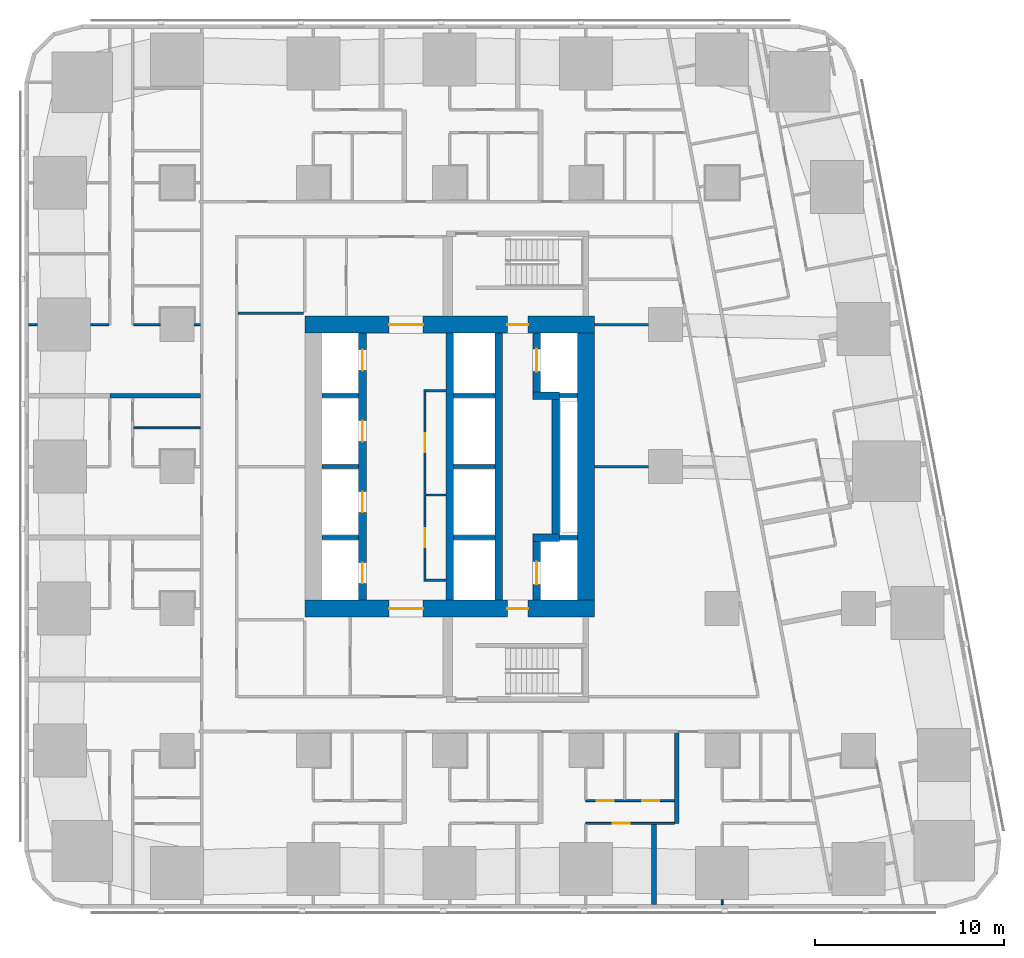
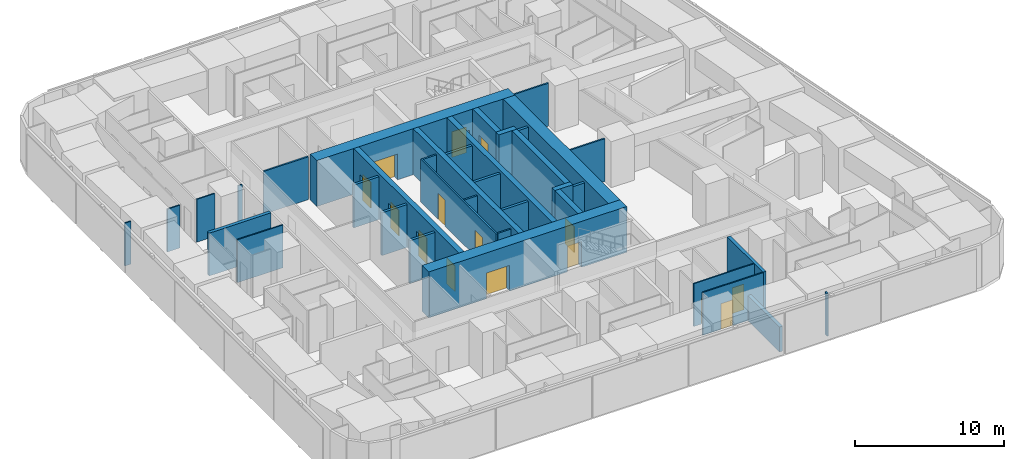
# One storey, part 5 of 15: 37 walls, 15 doors, 15 openings.
"""IFC4 building model written with IfcOpenShell, lengths in metres."""

from ifc_helpers import new_model, si_unit, direction, frame, frame_2d, origin, place, context, subcontext, project, spatial, rectangle, extrude, material, layer, layer_set, type_object, element, fill, save


model = new_model("IFC4")

# Units and contexts
model_context = context("Model", 3, precision=1e-05, world=origin(), true_north=direction((0.0, 1.0)))
body_context = subcontext(model_context, "Body", "Model", "MODEL_VIEW")
ifc_project = project(units=[si_unit("LENGTHUNIT", "METRE"), si_unit("AREAUNIT", "SQUARE_METRE"), si_unit("VOLUMEUNIT", "CUBIC_METRE"), si_unit("PLANEANGLEUNIT", "RADIAN"), si_unit("MASSUNIT", "GRAM", prefix="KILO")], contexts=[model_context])

# Site, building, storey
site_placement = place(None, origin())
site = spatial("IfcSite", under=ifc_project, at=site_placement, CompositionType="ELEMENT")
building_placement = place(site_placement, origin())
building = spatial("IfcBuilding", under=site, at=building_placement, Name="Sheger Commons Tower", CompositionType="ELEMENT")
storey_placement = place(building_placement, frame((0.0, 0.0, 65.0)))
storey = spatial("IfcBuildingStorey", under=building, at=storey_placement, Name="L16", CompositionType="ELEMENT", Elevation=65.0)

# Wall, openings, doors
ifc_material_1 = material(Name="Concrete C50/60", Category="concrete")
ifc_layer_1 = layer(ifc_material_1, 0.39990234375)
ifc_layer_set_1 = layer_set([ifc_layer_1], Name="CORE INNER WALL 400")
wall_type_1 = type_object("IfcWallType", Name="CORE INNER WALL 400", PredefinedType="SHEAR", material=ifc_layer_set_1)
wall_1_placement = place(storey_placement, frame((17.0, 15.449951171875, 0.0), z_axis=(0.0, 0.0, 1.0), x_axis=(0.0, 1.0, 0.0)))
wall_1 = element("IfcWall", 1, at=wall_1_placement, inside=storey, type_object=wall_type_1, Name="Core inner wall A L16", PredefinedType="SHEAR", context=body_context, shape_type="SweptSolid", body=[
    extrude(rectangle(XDim=14.10009765625, YDim=0.39990234375, at=frame_2d((7.050048828125, 0.0))), origin(), (0.0, 0.0, 1.0), 3.75),
])
opening_1_placement = place(wall_1_placement, frame((0.875, 0.0, 0.0)))
opening_1 = element("IfcOpeningElement", 2, at=opening_1_placement, cuts=wall_1, Name="Opening LD", PredefinedType="OPENING", context=body_context, shape_type="SweptSolid", body=[
    extrude(rectangle(XDim=1.10009765625, YDim=2.10009765625, at=frame_2d((0.550048828125, 1.050048828125))), frame((0.0, 0.2099609375, 0.0), z_axis=(0.0, -1.0, 0.0), x_axis=(1.0, 0.0, 0.0)), (0.0, 0.0, 1.0), 0.419921875),
])
opening_2_placement = place(wall_1_placement, frame((4.625, 0.0, 0.0)))
opening_2 = element("IfcOpeningElement", 3, at=opening_2_placement, cuts=wall_1, Name="Opening LD", PredefinedType="OPENING", context=body_context, shape_type="SweptSolid", body=[
    extrude(rectangle(XDim=1.10009765625, YDim=2.10009765625, at=frame_2d((0.550048828125, 1.050048828125))), frame((0.0, 0.2099609375, 0.0), z_axis=(0.0, -1.0, 0.0), x_axis=(1.0, 0.0, 0.0)), (0.0, 0.0, 1.0), 0.419921875),
])
opening_3_placement = place(wall_1_placement, frame((8.375, 0.0, 0.0)))
opening_3 = element("IfcOpeningElement", 4, at=opening_3_placement, cuts=wall_1, Name="Opening LD", PredefinedType="OPENING", context=body_context, shape_type="SweptSolid", body=[
    extrude(rectangle(XDim=1.10009765625, YDim=2.10009765625, at=frame_2d((0.550048828125, 1.050048828125))), frame((0.0, 0.2099609375, 0.0), z_axis=(0.0, -1.0, 0.0), x_axis=(1.0, 0.0, 0.0)), (0.0, 0.0, 1.0), 0.419921875),
])
opening_4_placement = place(wall_1_placement, frame((12.125, 0.0, 0.0)))
opening_4 = element("IfcOpeningElement", 5, at=opening_4_placement, cuts=wall_1, Name="Opening LD", PredefinedType="OPENING", context=body_context, shape_type="SweptSolid", body=[
    extrude(rectangle(XDim=1.10009765625, YDim=2.10009765625, at=frame_2d((0.550048828125, 1.050048828125))), frame((0.0, 0.2099609375, 0.0), z_axis=(0.0, -1.0, 0.0), x_axis=(1.0, 0.0, 0.0)), (0.0, 0.0, 1.0), 0.419921875),
])
ifc_material_2 = material(Name="Steel door set, fire rated", Category="steel")
door_type_1 = type_object("IfcDoorType", Name="LIFT LANDING DOOR 1100x2100", OperationType="DOUBLE_DOOR_SLIDING", PredefinedType="DOOR", material=ifc_material_2)
door_1_placement = place(opening_1_placement, origin())
door_1 = element("IfcDoor", 6, at=door_1_placement, inside=storey, type_object=door_type_1, Name="Lift LA1 landing door", OperationType="DOUBLE_DOOR_SLIDING", OverallHeight=2.10009765625, OverallWidth=1.10009765625, PredefinedType="DOOR", context=body_context, shape_type="SweptSolid", body=[
    extrude(rectangle(XDim=1.10009765625, YDim=2.10009765625, at=frame_2d((0.550048828125, 1.050048828125))), frame((0.0, 0.02490234375, 0.0), z_axis=(0.0, -1.0, 0.0), x_axis=(1.0, 0.0, 0.0)), (0.0, 0.0, 1.0), 0.050048828125),
])
fill(opening_1, door_1)
door_2_placement = place(opening_2_placement, origin())
door_2 = element("IfcDoor", 7, at=door_2_placement, inside=storey, type_object=door_type_1, Name="Lift LA2 landing door", OperationType="DOUBLE_DOOR_SLIDING", OverallHeight=2.10009765625, OverallWidth=1.10009765625, PredefinedType="DOOR", context=body_context, shape_type="SweptSolid", body=[
    extrude(rectangle(XDim=1.10009765625, YDim=2.10009765625, at=frame_2d((0.550048828125, 1.050048828125))), frame((0.0, 0.02490234375, 0.0), z_axis=(0.0, -1.0, 0.0), x_axis=(1.0, 0.0, 0.0)), (0.0, 0.0, 1.0), 0.050048828125),
])
fill(opening_2, door_2)
door_3_placement = place(opening_3_placement, origin())
door_3 = element("IfcDoor", 8, at=door_3_placement, inside=storey, type_object=door_type_1, Name="Lift LA3 landing door", OperationType="DOUBLE_DOOR_SLIDING", OverallHeight=2.10009765625, OverallWidth=1.10009765625, PredefinedType="DOOR", context=body_context, shape_type="SweptSolid", body=[
    extrude(rectangle(XDim=1.10009765625, YDim=2.10009765625, at=frame_2d((0.550048828125, 1.050048828125))), frame((0.0, 0.02490234375, 0.0), z_axis=(0.0, -1.0, 0.0), x_axis=(1.0, 0.0, 0.0)), (0.0, 0.0, 1.0), 0.050048828125),
])
fill(opening_3, door_3)
door_4_placement = place(opening_4_placement, origin())
door_4 = element("IfcDoor", 9, at=door_4_placement, inside=storey, type_object=door_type_1, Name="Lift LA4 landing door", OperationType="DOUBLE_DOOR_SLIDING", OverallHeight=2.10009765625, OverallWidth=1.10009765625, PredefinedType="DOOR", context=body_context, shape_type="SweptSolid", body=[
    extrude(rectangle(XDim=1.10009765625, YDim=2.10009765625, at=frame_2d((0.550048828125, 1.050048828125))), frame((0.0, 0.02490234375, 0.0), z_axis=(0.0, -1.0, 0.0), x_axis=(1.0, 0.0, 0.0)), (0.0, 0.0, 1.0), 0.050048828125),
])
fill(opening_4, door_4)

# Walls
for number, where, z_axis, x_axis, name in (
    (10, (21.60009765625, 15.449951171875, 0.0), (0.0, 0.0, 1.0), (0.0, 1.0, 0.0), "Core inner wall L L16"),
    (11, (24.199951171875, 15.449951171875, 0.0), (0.0, 0.0, 1.0), (0.0, 1.0, 0.0), "Core inner wall B L16"),
):
    element("IfcWall", number, at=place(storey_placement, frame(where, z_axis=z_axis, x_axis=x_axis)), inside=storey, type_object=wall_type_1, Name=name, PredefinedType="SHEAR", context=body_context, shape_type="SweptSolid", body=[
        extrude(rectangle(XDim=14.10009765625, YDim=0.39990234375, at=frame_2d((7.050048828125, 0.0))), origin(), (0.0, 0.0, 1.0), 3.75),
    ])

# Wall, opening, door
wall_2_placement = place(storey_placement, frame((26.199951171875, 15.449951171875, 0.0), z_axis=(0.0, 0.0, 1.0), x_axis=(0.0, 1.0, 0.0)))
wall_2 = element("IfcWall", 12, at=wall_2_placement, inside=storey, type_object=wall_type_1, Name="Core inner wall F L16", PredefinedType="SHEAR", context=body_context, shape_type="SweptSolid", body=[
    extrude(rectangle(XDim=3.10009765625, YDim=0.39990234375, at=frame_2d((1.550048828125, 0.0))), origin(), (0.0, 0.0, 1.0), 3.75),
])
opening_5_placement = place(wall_2_placement, frame((0.824951171875, 0.0, 0.0)))
opening_5 = element("IfcOpeningElement", 13, at=opening_5_placement, cuts=wall_2, Name="Opening LD2", PredefinedType="OPENING", context=body_context, shape_type="SweptSolid", body=[
    extrude(rectangle(XDim=1.199951171875, YDim=2.10009765625, at=frame_2d((0.60009765625, 1.050048828125))), frame((0.0, 0.2099609375, 0.0), z_axis=(0.0, -1.0, 0.0), x_axis=(1.0, 0.0, 0.0)), (0.0, 0.0, 1.0), 0.419921875),
])
ifc_material_3 = material(Name="Steel door set, fire rated", Category="steel")
door_type_2 = type_object("IfcDoorType", Name="FIREFIGHTING LIFT LANDING DOOR 1200x2100", OperationType="DOUBLE_DOOR_SLIDING", PredefinedType="DOOR", material=ifc_material_3)
door_5_placement = place(opening_5_placement, origin())
door_5 = element("IfcDoor", 14, at=door_5_placement, inside=storey, type_object=door_type_2, Name="Lift FL1 landing door", OperationType="DOUBLE_DOOR_SLIDING", OverallHeight=2.10009765625, OverallWidth=1.199951171875, PredefinedType="DOOR", context=body_context, shape_type="SweptSolid", body=[
    extrude(rectangle(XDim=1.199951171875, YDim=2.10009765625, at=frame_2d((0.60009765625, 1.050048828125))), frame((0.0, 0.02490234375, 0.0), z_axis=(0.0, -1.0, 0.0), x_axis=(1.0, 0.0, 0.0)), (0.0, 0.0, 1.0), 0.050048828125),
])
fill(opening_5, door_5)

# Walls
wall_3_placement = place(storey_placement, frame((26.0, 18.75, 0.0), z_axis=(0.0, 0.0, 1.0), x_axis=(1.0, 0.0, 0.0)))
element("IfcWall", 15, at=wall_3_placement, inside=storey, type_object=wall_type_1, Name="Core inner wall F south return L16", PredefinedType="SHEAR", context=body_context, shape_type="SweptSolid", body=[
    extrude(rectangle(XDim=1.39990234375, YDim=0.39990234375, at=frame_2d((0.699951171875, 0.0))), origin(), (0.0, 0.0, 1.0), 3.75),
])
wall_4_placement = place(storey_placement, frame((27.199951171875, 18.949951171875, 0.0), z_axis=(0.0, 0.0, 1.0), x_axis=(0.0, 1.0, 0.0)))
element("IfcWall", 16, at=wall_4_placement, inside=storey, type_object=wall_type_1, Name="Core inner wall F middle L16", PredefinedType="SHEAR", context=body_context, shape_type="SweptSolid", body=[
    extrude(rectangle(XDim=7.10009765625, YDim=0.39990234375, at=frame_2d((3.550048828125, 0.0))), origin(), (0.0, 0.0, 1.0), 3.75),
])
wall_5_placement = place(storey_placement, frame((26.0, 26.25, 0.0), z_axis=(0.0, 0.0, 1.0), x_axis=(1.0, 0.0, 0.0)))
element("IfcWall", 17, at=wall_5_placement, inside=storey, type_object=wall_type_1, Name="Core inner wall F north return L16", PredefinedType="SHEAR", context=body_context, shape_type="SweptSolid", body=[
    extrude(rectangle(XDim=1.39990234375, YDim=0.39990234375, at=frame_2d((0.699951171875, 0.0))), origin(), (0.0, 0.0, 1.0), 3.75),
])

# Wall, opening, door
wall_6_placement = place(storey_placement, frame((26.199951171875, 26.449951171875, 0.0), z_axis=(0.0, 0.0, 1.0), x_axis=(0.0, 1.0, 0.0)))
wall_6 = element("IfcWall", 18, at=wall_6_placement, inside=storey, type_object=wall_type_1, Name="Core inner wall F north L16", PredefinedType="SHEAR", context=body_context, shape_type="SweptSolid", body=[
    extrude(rectangle(XDim=3.10009765625, YDim=0.39990234375, at=frame_2d((1.550048828125, 0.0))), origin(), (0.0, 0.0, 1.0), 3.75),
])
opening_6_placement = place(wall_6_placement, frame((1.074951171875, 0.0, 0.0)))
opening_6 = element("IfcOpeningElement", 19, at=opening_6_placement, cuts=wall_6, Name="Opening LD2", PredefinedType="OPENING", context=body_context, shape_type="SweptSolid", body=[
    extrude(rectangle(XDim=1.199951171875, YDim=2.10009765625, at=frame_2d((0.60009765625, 1.050048828125))), frame((0.0, 0.2099609375, 0.0), z_axis=(0.0, -1.0, 0.0), x_axis=(1.0, 0.0, 0.0)), (0.0, 0.0, 1.0), 0.419921875),
])
door_6_placement = place(opening_6_placement, origin())
door_6 = element("IfcDoor", 20, at=door_6_placement, inside=storey, type_object=door_type_2, Name="Lift FL2 landing door", OperationType="DOUBLE_DOOR_SLIDING", OverallHeight=2.10009765625, OverallWidth=1.199951171875, PredefinedType="DOOR", context=body_context, shape_type="SweptSolid", body=[
    extrude(rectangle(XDim=1.199951171875, YDim=2.10009765625, at=frame_2d((0.60009765625, 1.050048828125))), frame((0.0, 0.02490234375, 0.0), z_axis=(0.0, -1.0, 0.0), x_axis=(1.0, 0.0, 0.0)), (0.0, 0.0, 1.0), 0.050048828125),
])
fill(opening_6, door_6)

# Wall, openings, doors
ifc_material_4 = material(Name="Concrete C50/60", Category="concrete")
ifc_layer_2 = layer(ifc_material_4, 0.89990234375)
ifc_layer_set_2 = layer_set([ifc_layer_2], Name="CORE WALL 900")
wall_type_2 = type_object("IfcWallType", Name="CORE WALL 900", PredefinedType="SHEAR", material=ifc_layer_set_2)
wall_7_placement = place(storey_placement, frame((13.949951171875, 15.0, 0.0), z_axis=(0.0, 0.0, 1.0), x_axis=(1.0, 0.0, 0.0)))
wall_7 = element("IfcWall", 21, at=wall_7_placement, inside=storey, type_object=wall_type_2, Name="Core wall south L16", PredefinedType="SHEAR", context=body_context, shape_type="SweptSolid", body=[
    extrude(rectangle(XDim=15.300048828125, YDim=0.89990234375, at=frame_2d((7.64990234375, 0.0))), origin(), (0.0, 0.0, 1.0), 3.75),
])
opening_7_placement = place(wall_7_placement, frame((4.449951171875, 0.0, 0.0)))
opening_7 = element("IfcOpeningElement", 22, at=opening_7_placement, cuts=wall_7, Name="Opening D6", PredefinedType="OPENING", context=body_context, shape_type="SweptSolid", body=[
    extrude(rectangle(XDim=1.800048828125, YDim=2.10009765625, at=frame_2d((0.89990234375, 1.050048828125))), frame((0.0, 0.4599609375, 0.0), z_axis=(0.0, -1.0, 0.0), x_axis=(1.0, 0.0, 0.0)), (0.0, 0.0, 1.0), 0.919921875),
])
opening_8_placement = place(wall_7_placement, frame((10.699951171875, 0.0, 0.0)))
opening_8 = element("IfcOpeningElement", 23, at=opening_8_placement, cuts=wall_7, Name="Opening D5", PredefinedType="OPENING", context=body_context, shape_type="SweptSolid", body=[
    extrude(rectangle(XDim=1.10009765625, YDim=2.10009765625, at=frame_2d((0.550048828125, 1.050048828125))), frame((0.0, 0.4599609375, 0.0), z_axis=(0.0, -1.0, 0.0), x_axis=(1.0, 0.0, 0.0)), (0.0, 0.0, 1.0), 0.919921875),
])
ifc_material_5 = material(Name="Steel door set, fire rated", Category="steel")
door_type_3 = type_object("IfcDoorType", Name="LOBBY DOUBLE DOOR 1800x2100", OperationType="DOUBLE_DOOR_SINGLE_SWING", PredefinedType="DOOR", material=ifc_material_5)
door_7_placement = place(opening_7_placement, origin())
door_7 = element("IfcDoor", 24, at=door_7_placement, inside=storey, type_object=door_type_3, Name="Lift lobby door", OperationType="DOUBLE_DOOR_SINGLE_SWING", OverallHeight=2.10009765625, OverallWidth=1.800048828125, PredefinedType="DOOR", context=body_context, shape_type="SweptSolid", body=[
    extrude(rectangle(XDim=1.800048828125, YDim=2.10009765625, at=frame_2d((0.89990234375, 1.050048828125))), frame((0.0, 0.02490234375, 0.0), z_axis=(0.0, -1.0, 0.0), x_axis=(1.0, 0.0, 0.0)), (0.0, 0.0, 1.0), 0.050048828125),
])
fill(opening_7, door_7)
ifc_material_6 = material(Name="Steel door set, fire rated", Category="steel")
door_type_4 = type_object("IfcDoorType", Name="STAIR DOOR 1100x2100", OperationType="NOTDEFINED", PredefinedType="DOOR", material=ifc_material_6)
door_8_placement = place(opening_8_placement, origin())
door_8 = element("IfcDoor", 25, at=door_8_placement, inside=storey, type_object=door_type_4, Name="Fire-fighting lobby door", OperationType="SINGLE_SWING_LEFT", OverallHeight=2.10009765625, OverallWidth=1.10009765625, PredefinedType="DOOR", context=body_context, shape_type="SweptSolid", body=[
    extrude(rectangle(XDim=1.10009765625, YDim=2.10009765625, at=frame_2d((0.550048828125, 1.050048828125))), frame((0.0, 0.02490234375, 0.0), z_axis=(0.0, -1.0, 0.0), x_axis=(1.0, 0.0, 0.0)), (0.0, 0.0, 1.0), 0.050048828125),
])
fill(opening_8, door_8)

wall_8_placement = place(storey_placement, frame((13.949951171875, 30.0, 0.0), z_axis=(0.0, 0.0, 1.0), x_axis=(1.0, 0.0, 0.0)))
wall_8 = element("IfcWall", 26, at=wall_8_placement, inside=storey, type_object=wall_type_2, Name="Core wall north L16", PredefinedType="SHEAR", context=body_context, shape_type="SweptSolid", body=[
    extrude(rectangle(XDim=15.300048828125, YDim=0.89990234375, at=frame_2d((7.64990234375, 0.0))), origin(), (0.0, 0.0, 1.0), 3.75),
])
opening_9_placement = place(wall_8_placement, frame((4.449951171875, 0.0, 0.0)))
opening_9 = element("IfcOpeningElement", 27, at=opening_9_placement, cuts=wall_8, Name="Opening D6", PredefinedType="OPENING", context=body_context, shape_type="SweptSolid", body=[
    extrude(rectangle(XDim=1.800048828125, YDim=2.10009765625, at=frame_2d((0.89990234375, 1.050048828125))), frame((0.0, 0.4599609375, 0.0), z_axis=(0.0, -1.0, 0.0), x_axis=(1.0, 0.0, 0.0)), (0.0, 0.0, 1.0), 0.919921875),
])
opening_10_placement = place(wall_8_placement, frame((10.699951171875, 0.0, 0.0)))
opening_10 = element("IfcOpeningElement", 28, at=opening_10_placement, cuts=wall_8, Name="Opening D5", PredefinedType="OPENING", context=body_context, shape_type="SweptSolid", body=[
    extrude(rectangle(XDim=1.10009765625, YDim=2.10009765625, at=frame_2d((0.550048828125, 1.050048828125))), frame((0.0, 0.4599609375, 0.0), z_axis=(0.0, -1.0, 0.0), x_axis=(1.0, 0.0, 0.0)), (0.0, 0.0, 1.0), 0.919921875),
])
door_9_placement = place(opening_9_placement, origin())
door_9 = element("IfcDoor", 29, at=door_9_placement, inside=storey, type_object=door_type_3, Name="Lift lobby door", OperationType="DOUBLE_DOOR_SINGLE_SWING", OverallHeight=2.10009765625, OverallWidth=1.800048828125, PredefinedType="DOOR", context=body_context, shape_type="SweptSolid", body=[
    extrude(rectangle(XDim=1.800048828125, YDim=2.10009765625, at=frame_2d((0.89990234375, 1.050048828125))), frame((0.0, 0.02490234375, 0.0), z_axis=(0.0, -1.0, 0.0), x_axis=(1.0, 0.0, 0.0)), (0.0, 0.0, 1.0), 0.050048828125),
])
fill(opening_9, door_9)
door_10_placement = place(opening_10_placement, origin())
door_10 = element("IfcDoor", 30, at=door_10_placement, inside=storey, type_object=door_type_4, Name="Fire-fighting lobby door", OperationType="SINGLE_SWING_LEFT", OverallHeight=2.10009765625, OverallWidth=1.10009765625, PredefinedType="DOOR", context=body_context, shape_type="SweptSolid", body=[
    extrude(rectangle(XDim=1.10009765625, YDim=2.10009765625, at=frame_2d((0.550048828125, 1.050048828125))), frame((0.0, 0.02490234375, 0.0), z_axis=(0.0, -1.0, 0.0), x_axis=(1.0, 0.0, 0.0)), (0.0, 0.0, 1.0), 0.050048828125),
])
fill(opening_10, door_10)

# Walls
wall_9_placement = place(storey_placement, frame((28.800048828125, 15.449951171875, 0.0), z_axis=(0.0, 0.0, 1.0), x_axis=(0.0, 1.0, 0.0)))
element("IfcWall", 31, at=wall_9_placement, inside=storey, type_object=wall_type_2, Name="Core wall east L16", PredefinedType="SHEAR", context=body_context, shape_type="SweptSolid", body=[
    extrude(rectangle(XDim=14.10009765625, YDim=0.89990234375, at=frame_2d((7.050048828125, 0.0))), origin(), (0.0, 0.0, 1.0), 3.75),
])
ifc_material_7 = material(Name="Dense concrete block masonry, plastered both sides (separating wall between flats)", Category="masonry")
ifc_layer_3 = layer(ifc_material_7, 0.25)
ifc_layer_set_3 = layer_set([ifc_layer_3], Name="DEMISING WALL 250")
wall_type_3 = type_object("IfcWallType", Name="DEMISING WALL 250", PredefinedType="SOLIDWALL", material=ifc_layer_set_3)
wall_10_placement = place(storey_placement, frame((3.64990234375, 26.25, 0.0), z_axis=(0.0, 0.0, 1.0), x_axis=(1.0, 0.0, 0.0)))
element("IfcWall", 32, at=wall_10_placement, inside=storey, type_object=wall_type_3, Name="Demising wall L16", PredefinedType="SOLIDWALL", context=body_context, shape_type="SweptSolid", body=[
    extrude(rectangle(XDim=4.775146484375, YDim=0.25, at=frame_2d((2.3876953125, 0.0))), origin(), (0.0, 0.0, 1.0), 3.5),
])
wall_11_placement = place(storey_placement, frame((32.39990234375, -0.64990234375, 0.0), z_axis=(0.0, 0.0, 1.0), x_axis=(0.0, 1.0, 0.0)))
element("IfcWall", 33, at=wall_11_placement, inside=storey, type_object=wall_type_3, Name="Demising wall L16", PredefinedType="SOLIDWALL", context=body_context, shape_type="SweptSolid", body=[
    extrude(rectangle(XDim=4.25, YDim=0.25, at=frame_2d((2.125, 0.0))), origin(), (0.0, 0.0, 1.0), 2.050048828125),
])
wall_12_placement = place(storey_placement, frame((33.59912109375, 3.64990234375, 0.0), z_axis=(0.0, 0.0, 1.0), x_axis=(0.0, 1.0, 0.0)))
element("IfcWall", 34, at=wall_12_placement, inside=storey, type_object=wall_type_3, Name="Demising wall L16", PredefinedType="SOLIDWALL", context=body_context, shape_type="SweptSolid", body=[
    extrude(rectangle(XDim=4.775146484375, YDim=0.25, at=frame_2d((2.3876953125, 0.0))), origin(), (0.0, 0.0, 1.0), 3.5),
])
ifc_material_8 = material(Name="Gypsum board on steel studs", Category="steel")
ifc_layer_4 = layer(ifc_material_8, 0.10009765625)
ifc_layer_set_4 = layer_set([ifc_layer_4], Name="PARTITION 100")
wall_type_4 = type_object("IfcWallType", Name="PARTITION 100", PredefinedType="PARTITIONING", material=ifc_layer_set_4)
wall_13_placement = place(storey_placement, frame((4.89990234375, 24.550048828125, 0.0), z_axis=(0.0, 0.0, 1.0), x_axis=(1.0, 0.0, 0.0)))
element("IfcWall", 35, at=wall_13_placement, inside=storey, type_object=wall_type_4, Name="Partition L16", PredefinedType="PARTITIONING", context=body_context, shape_type="SweptSolid", body=[
    extrude(rectangle(XDim=3.525146484375, YDim=0.10009765625, at=frame_2d((1.7626953125, 0.0))), origin(), (0.0, 0.0, 1.0), 3.5),
])
wall_14_placement = place(storey_placement, frame((-0.64990234375, 30.0, 0.0), z_axis=(0.0, 0.0, 1.0), x_axis=(1.0, 0.0, 0.0)))
element("IfcWall", 36, at=wall_14_placement, inside=storey, type_object=wall_type_4, Name="Partition L16", PredefinedType="PARTITIONING", context=body_context, shape_type="SweptSolid", body=[
    extrude(rectangle(XDim=0.473876953125, YDim=0.10009765625, at=frame_2d((0.23681640625, 0.0))), origin(), (0.0, 0.0, 1.0), 3.5),
])
wall_15_placement = place(storey_placement, frame((2.6259765625, 30.0, 0.0), z_axis=(0.0, 0.0, 1.0), x_axis=(1.0, 0.0, 0.0)))
element("IfcWall", 37, at=wall_15_placement, inside=storey, type_object=wall_type_4, Name="Partition L16", PredefinedType="PARTITIONING", context=body_context, shape_type="SweptSolid", body=[
    extrude(rectangle(XDim=0.97412109375, YDim=0.10009765625, at=frame_2d((0.487060546875, 0.0))), origin(), (0.0, 0.0, 1.0), 3.5),
])
wall_16_placement = place(storey_placement, frame((4.89990234375, 30.0, 0.0), z_axis=(0.0, 0.0, 1.0), x_axis=(1.0, 0.0, 0.0)))
element("IfcWall", 38, at=wall_16_placement, inside=storey, type_object=wall_type_4, Name="Partition L16", PredefinedType="PARTITIONING", context=body_context, shape_type="SweptSolid", body=[
    extrude(rectangle(XDim=1.399169921875, YDim=0.10009765625, at=frame_2d((0.69970703125, 0.0))), origin(), (0.0, 0.0, 1.0), 3.5),
])
wall_17_placement = place(storey_placement, frame((8.10107421875, 30.0, 0.0), z_axis=(0.0, 0.0, 1.0), x_axis=(1.0, 0.0, 0.0)))
element("IfcWall", 39, at=wall_17_placement, inside=storey, type_object=wall_type_4, Name="Partition L16", PredefinedType="PARTITIONING", context=body_context, shape_type="SweptSolid", body=[
    extrude(rectangle(XDim=0.323974609375, YDim=0.10009765625, at=frame_2d((0.162109375, 0.0))), origin(), (0.0, 0.0, 1.0), 3.5),
])

# Wall, opening, door
wall_18_placement = place(storey_placement, frame((33.47412109375, 3.64990234375, 0.0), z_axis=(0.0, 0.0, 1.0), x_axis=(-1.0, 0.0, 0.0)))
wall_18 = element("IfcWall", 40, at=wall_18_placement, inside=storey, type_object=wall_type_4, Name="Partition L16", PredefinedType="PARTITIONING", context=body_context, shape_type="SweptSolid", body=[
    extrude(rectangle(XDim=4.674072265625, YDim=0.10009765625, at=frame_2d((2.3369140625, 0.0))), origin(), (0.0, 0.0, 1.0), 3.5),
])
opening_11_placement = place(wall_18_placement, frame((2.35009765625, 0.0, 0.0)))
opening_11 = element("IfcOpeningElement", 41, at=opening_11_placement, cuts=wall_18, Name="Opening D2", PredefinedType="OPENING", context=body_context, shape_type="SweptSolid", body=[
    extrude(rectangle(XDim=0.89990234375, YDim=2.10009765625, at=frame_2d((0.449951171875, 1.050048828125))), frame((0.0, 0.06005859375, 0.0), z_axis=(0.0, -1.0, 0.0), x_axis=(1.0, 0.0, 0.0)), (0.0, 0.0, 1.0), 0.1201171875),
])
ifc_material_9 = material(Name="Timber door set", Category="wood")
door_type_5 = type_object("IfcDoorType", Name="INTERNAL DOOR 900x2100", OperationType="NOTDEFINED", PredefinedType="DOOR", material=ifc_material_9)
door_11_placement = place(opening_11_placement, origin())
door_11 = element("IfcDoor", 42, at=door_11_placement, inside=storey, type_object=door_type_5, Name="Main bedroom door", OperationType="SINGLE_SWING_RIGHT", OverallHeight=2.10009765625, OverallWidth=0.89990234375, PredefinedType="DOOR", context=body_context, shape_type="SweptSolid", body=[
    extrude(rectangle(XDim=0.89990234375, YDim=2.10009765625, at=frame_2d((0.449951171875, 1.050048828125))), frame((0.0, 0.02490234375, 0.0), z_axis=(0.0, -1.0, 0.0), x_axis=(1.0, 0.0, 0.0)), (0.0, 0.0, 1.0), 0.050048828125),
])
fill(opening_11, door_11)

# Wall, openings, doors
wall_19_placement = place(storey_placement, frame((33.47412109375, 4.85009765625, 0.0), z_axis=(0.0, 0.0, 1.0), x_axis=(-1.0, 0.0, 0.0)))
wall_19 = element("IfcWall", 43, at=wall_19_placement, inside=storey, type_object=wall_type_4, Name="Partition L16", PredefinedType="PARTITIONING", context=body_context, shape_type="SweptSolid", body=[
    extrude(rectangle(XDim=4.674072265625, YDim=0.10009765625, at=frame_2d((2.3369140625, 0.0))), origin(), (0.0, 0.0, 1.0), 3.5),
])
opening_12_placement = place(wall_19_placement, frame((3.198974609375, 0.0, 0.0)))
opening_12 = element("IfcOpeningElement", 44, at=opening_12_placement, cuts=wall_19, Name="Opening D2", PredefinedType="OPENING", context=body_context, shape_type="SweptSolid", body=[
    extrude(rectangle(XDim=0.89990234375, YDim=2.10009765625, at=frame_2d((0.449951171875, 1.050048828125))), frame((0.0, 0.06005859375, 0.0), z_axis=(0.0, -1.0, 0.0), x_axis=(1.0, 0.0, 0.0)), (0.0, 0.0, 1.0), 0.1201171875),
])
opening_13_placement = place(wall_19_placement, frame((0.800048828125, 0.0, 0.0)))
opening_13 = element("IfcOpeningElement", 45, at=opening_13_placement, cuts=wall_19, Name="Opening D2", PredefinedType="OPENING", context=body_context, shape_type="SweptSolid", body=[
    extrude(rectangle(XDim=0.89990234375, YDim=2.10009765625, at=frame_2d((0.449951171875, 1.050048828125))), frame((0.0, 0.06005859375, 0.0), z_axis=(0.0, -1.0, 0.0), x_axis=(1.0, 0.0, 0.0)), (0.0, 0.0, 1.0), 0.1201171875),
])
door_12_placement = place(opening_12_placement, origin())
door_12 = element("IfcDoor", 46, at=door_12_placement, inside=storey, type_object=door_type_5, Name="Bathroom door", OperationType="SINGLE_SWING_LEFT", OverallHeight=2.10009765625, OverallWidth=0.89990234375, PredefinedType="DOOR", context=body_context, shape_type="SweptSolid", body=[
    extrude(rectangle(XDim=0.89990234375, YDim=2.10009765625, at=frame_2d((0.449951171875, 1.050048828125))), frame((0.0, 0.02490234375, 0.0), z_axis=(0.0, -1.0, 0.0), x_axis=(1.0, 0.0, 0.0)), (0.0, 0.0, 1.0), 0.050048828125),
])
fill(opening_12, door_12)
door_13_placement = place(opening_13_placement, origin())
door_13 = element("IfcDoor", 47, at=door_13_placement, inside=storey, type_object=door_type_5, Name="Store door", OperationType="SINGLE_SWING_RIGHT", OverallHeight=2.10009765625, OverallWidth=0.89990234375, PredefinedType="DOOR", context=body_context, shape_type="SweptSolid", body=[
    extrude(rectangle(XDim=0.89990234375, YDim=2.10009765625, at=frame_2d((0.449951171875, 1.050048828125))), frame((0.0, 0.02490234375, 0.0), z_axis=(0.0, -1.0, 0.0), x_axis=(1.0, 0.0, 0.0)), (0.0, 0.0, 1.0), 0.050048828125),
])
fill(opening_13, door_13)

# Walls
wall_20_placement = place(storey_placement, frame((36.0, -0.64990234375, 0.0), z_axis=(0.0, 0.0, 1.0), x_axis=(0.0, 1.0, 0.0)))
element("IfcWall", 48, at=wall_20_placement, inside=storey, type_object=wall_type_4, Name="Partition L16", PredefinedType="PARTITIONING", context=body_context, shape_type="SweptSolid", body=[
    extrude(rectangle(XDim=0.27392578125, YDim=0.10009765625, at=frame_2d((0.136962890625, 0.0))), origin(), (0.0, 0.0, 1.0), 3.5),
])
ifc_material_10 = material(Name="Gypsum board on steel studs, two layers each side, fire rated", Category="steel")
ifc_layer_5 = layer(ifc_material_10, 0.125)
ifc_layer_set_5 = layer_set([ifc_layer_5], Name="SERVICE WALL 125")
wall_type_5 = type_object("IfcWallType", Name="SERVICE WALL 125", PredefinedType="PARTITIONING", material=ifc_layer_set_5)
wall_21_placement = place(storey_placement, frame((10.4130859375, 30.60009765625, 0.0), z_axis=(0.0, 0.0, 1.0), x_axis=(1.0, 0.0, 0.0)))
element("IfcWall", 49, at=wall_21_placement, inside=storey, type_object=wall_type_5, Name="Service room wall L16", PredefinedType="PARTITIONING", context=body_context, shape_type="SweptSolid", body=[
    extrude(rectangle(XDim=3.474853515625, YDim=0.125, at=frame_2d((1.7373046875, 0.0))), origin(), (0.0, 0.0, 1.0), 3.5),
])
for number, where, z_axis, x_axis, name in (
    (50, (29.25, 22.5, 0.0), (0.0, 0.0, 1.0), (1.0, 0.0, 0.0), "Service room wall L16"),
    (51, (29.25, 30.0, 0.0), (0.0, 0.0, 1.0), (1.0, 0.0, 0.0), "Service room wall L16"),
):
    element("IfcWall", number, at=place(storey_placement, frame(where, z_axis=z_axis, x_axis=x_axis)), inside=storey, type_object=wall_type_5, Name=name, PredefinedType="PARTITIONING", context=body_context, shape_type="SweptSolid", body=[
        extrude(rectangle(XDim=2.84912109375, YDim=0.125, at=frame_2d((1.424560546875, 0.0))), origin(), (0.0, 0.0, 1.0), 3.5),
    ])

# Wall, openings, doors
wall_22_placement = place(storey_placement, frame((20.300048828125, 16.43798828125, 0.0), z_axis=(0.0, 0.0, 1.0), x_axis=(0.0, 1.0, 0.0)))
wall_22 = element("IfcWall", 52, at=wall_22_placement, inside=storey, type_object=wall_type_5, Name="Service room wall L16", PredefinedType="PARTITIONING", context=body_context, shape_type="SweptSolid", body=[
    extrude(rectangle(XDim=10.1240234375, YDim=0.125, at=frame_2d((5.06201171875, 0.0))), origin(), (0.0, 0.0, 1.0), 3.5),
])
opening_14_placement = place(wall_22_placement, frame((1.81201171875, 0.0, 0.0)))
opening_14 = element("IfcOpeningElement", 53, at=opening_14_placement, cuts=wall_22, Name="Opening D4", PredefinedType="OPENING", context=body_context, shape_type="SweptSolid", body=[
    extrude(rectangle(XDim=1.0, YDim=2.10009765625, at=frame_2d((0.5, 1.050048828125))), frame((0.0, 0.072509765625, 0.0), z_axis=(0.0, -1.0, 0.0), x_axis=(1.0, 0.0, 0.0)), (0.0, 0.0, 1.0), 0.14501953125),
])
opening_15_placement = place(wall_22_placement, frame((6.81201171875, 0.0, 0.0)))
opening_15 = element("IfcOpeningElement", 54, at=opening_15_placement, cuts=wall_22, Name="Opening D4", PredefinedType="OPENING", context=body_context, shape_type="SweptSolid", body=[
    extrude(rectangle(XDim=1.0, YDim=2.10009765625, at=frame_2d((0.5, 1.050048828125))), frame((0.0, 0.072509765625, 0.0), z_axis=(0.0, -1.0, 0.0), x_axis=(1.0, 0.0, 0.0)), (0.0, 0.0, 1.0), 0.14501953125),
])
ifc_material_11 = material(Name="Steel door set, fire rated", Category="steel")
door_type_6 = type_object("IfcDoorType", Name="SERVICE DOOR 1000x2100", OperationType="NOTDEFINED", PredefinedType="DOOR", material=ifc_material_11)
door_14_placement = place(opening_14_placement, origin())
door_14 = element("IfcDoor", 55, at=door_14_placement, inside=storey, type_object=door_type_6, Name="Cleaner's cupboard door", OperationType="SINGLE_SWING_RIGHT", OverallHeight=2.10009765625, OverallWidth=1.0, PredefinedType="DOOR", context=body_context, shape_type="SweptSolid", body=[
    extrude(rectangle(XDim=1.0, YDim=2.10009765625, at=frame_2d((0.5, 1.050048828125))), frame((0.0, 0.02490234375, 0.0), z_axis=(0.0, -1.0, 0.0), x_axis=(1.0, 0.0, 0.0)), (0.0, 0.0, 1.0), 0.050048828125),
])
fill(opening_14, door_14)
door_15_placement = place(opening_15_placement, origin())
door_15 = element("IfcDoor", 56, at=door_15_placement, inside=storey, type_object=door_type_6, Name="Communications cupboard door", OperationType="SINGLE_SWING_LEFT", OverallHeight=2.10009765625, OverallWidth=1.0, PredefinedType="DOOR", context=body_context, shape_type="SweptSolid", body=[
    extrude(rectangle(XDim=1.0, YDim=2.10009765625, at=frame_2d((0.5, 1.050048828125))), frame((0.0, 0.02490234375, 0.0), z_axis=(0.0, -1.0, 0.0), x_axis=(1.0, 0.0, 0.0)), (0.0, 0.0, 1.0), 0.050048828125),
])
fill(opening_15, door_15)

# Walls
for number, where, z_axis, x_axis, name in (
    (57, (20.363037109375, 16.5, 0.0), (0.0, 0.0, 1.0), (1.0, 0.0, 0.0), "Service room wall L16"),
    (58, (20.363037109375, 26.5, 0.0), (0.0, 0.0, 1.0), (1.0, 0.0, 0.0), "Service room wall L16"),
    (59, (20.363037109375, 21.0, 0.0), (0.0, 0.0, 1.0), (1.0, 0.0, 0.0), "Service room wall L16"),
):
    element("IfcWall", number, at=place(storey_placement, frame(where, z_axis=z_axis, x_axis=x_axis)), inside=storey, type_object=wall_type_5, Name=name, PredefinedType="PARTITIONING", context=body_context, shape_type="SweptSolid", body=[
        extrude(rectangle(XDim=1.036865234375, YDim=0.125, at=frame_2d((0.5185546875, 0.0))), origin(), (0.0, 0.0, 1.0), 3.5),
    ])
ifc_material_12 = material(Name="Hollow concrete block masonry", Category="masonry")
ifc_layer_6 = layer(ifc_material_12, 0.199951171875)
ifc_layer_set_6 = layer_set([ifc_layer_6], Name="SHAFT WALL 200")
wall_type_6 = type_object("IfcWallType", Name="SHAFT WALL 200", PredefinedType="SOLIDWALL", material=ifc_layer_set_6)
wall_23_placement = place(storey_placement, frame((14.85009765625, 18.75, 0.0), z_axis=(0.0, 0.0, 1.0), x_axis=(1.0, 0.0, 0.0)))
element("IfcWall", 60, at=wall_23_placement, inside=storey, type_object=wall_type_6, Name="Lift shaft wall L16", PredefinedType="SOLIDWALL", context=body_context, shape_type="SweptSolid", body=[
    extrude(rectangle(XDim=1.949951171875, YDim=0.199951171875, at=frame_2d((0.97509765625, 0.0))), origin(), (0.0, 0.0, 1.0), 3.5),
])
wall_24_placement = place(storey_placement, frame((21.800048828125, 18.75, 0.0), z_axis=(0.0, 0.0, 1.0), x_axis=(1.0, 0.0, 0.0)))
element("IfcWall", 61, at=wall_24_placement, inside=storey, type_object=wall_type_6, Name="Lift shaft wall L16", PredefinedType="SOLIDWALL", context=body_context, shape_type="SweptSolid", body=[
    extrude(rectangle(XDim=2.199951171875, YDim=0.199951171875, at=frame_2d((1.10009765625, 0.0))), origin(), (0.0, 0.0, 1.0), 3.5),
])
wall_25_placement = place(storey_placement, frame((14.85009765625, 22.5, 0.0), z_axis=(0.0, 0.0, 1.0), x_axis=(1.0, 0.0, 0.0)))
element("IfcWall", 62, at=wall_25_placement, inside=storey, type_object=wall_type_6, Name="Lift shaft wall L16", PredefinedType="SOLIDWALL", context=body_context, shape_type="SweptSolid", body=[
    extrude(rectangle(XDim=1.949951171875, YDim=0.199951171875, at=frame_2d((0.97509765625, 0.0))), origin(), (0.0, 0.0, 1.0), 3.5),
])
wall_26_placement = place(storey_placement, frame((21.800048828125, 22.5, 0.0), z_axis=(0.0, 0.0, 1.0), x_axis=(1.0, 0.0, 0.0)))
element("IfcWall", 63, at=wall_26_placement, inside=storey, type_object=wall_type_6, Name="Lift shaft wall L16", PredefinedType="SOLIDWALL", context=body_context, shape_type="SweptSolid", body=[
    extrude(rectangle(XDim=2.199951171875, YDim=0.199951171875, at=frame_2d((1.10009765625, 0.0))), origin(), (0.0, 0.0, 1.0), 3.5),
])
wall_27_placement = place(storey_placement, frame((14.85009765625, 26.25, 0.0), z_axis=(0.0, 0.0, 1.0), x_axis=(1.0, 0.0, 0.0)))
element("IfcWall", 64, at=wall_27_placement, inside=storey, type_object=wall_type_6, Name="Lift shaft wall L16", PredefinedType="SOLIDWALL", context=body_context, shape_type="SweptSolid", body=[
    extrude(rectangle(XDim=1.949951171875, YDim=0.199951171875, at=frame_2d((0.97509765625, 0.0))), origin(), (0.0, 0.0, 1.0), 3.5),
])
wall_28_placement = place(storey_placement, frame((21.800048828125, 26.25, 0.0), z_axis=(0.0, 0.0, 1.0), x_axis=(1.0, 0.0, 0.0)))
element("IfcWall", 65, at=wall_28_placement, inside=storey, type_object=wall_type_6, Name="Lift shaft wall L16", PredefinedType="SOLIDWALL", context=body_context, shape_type="SweptSolid", body=[
    extrude(rectangle(XDim=2.199951171875, YDim=0.199951171875, at=frame_2d((1.10009765625, 0.0))), origin(), (0.0, 0.0, 1.0), 3.5),
])
for number, where, z_axis, x_axis, name in (
    (66, (27.39990234375, 18.75, 0.0), (0.0, 0.0, 1.0), (1.0, 0.0, 0.0), "Lift shaft wall L16"),
    (67, (27.39990234375, 26.25, 0.0), (0.0, 0.0, 1.0), (1.0, 0.0, 0.0), "Lift shaft wall L16"),
):
    element("IfcWall", number, at=place(storey_placement, frame(where, z_axis=z_axis, x_axis=x_axis)), inside=storey, type_object=wall_type_6, Name=name, PredefinedType="SOLIDWALL", context=body_context, shape_type="SweptSolid", body=[
        extrude(rectangle(XDim=0.9501953125, YDim=0.199951171875, at=frame_2d((0.47509765625, 0.0))), origin(), (0.0, 0.0, 1.0), 3.5),
    ])

save(model, "model.ifc")
